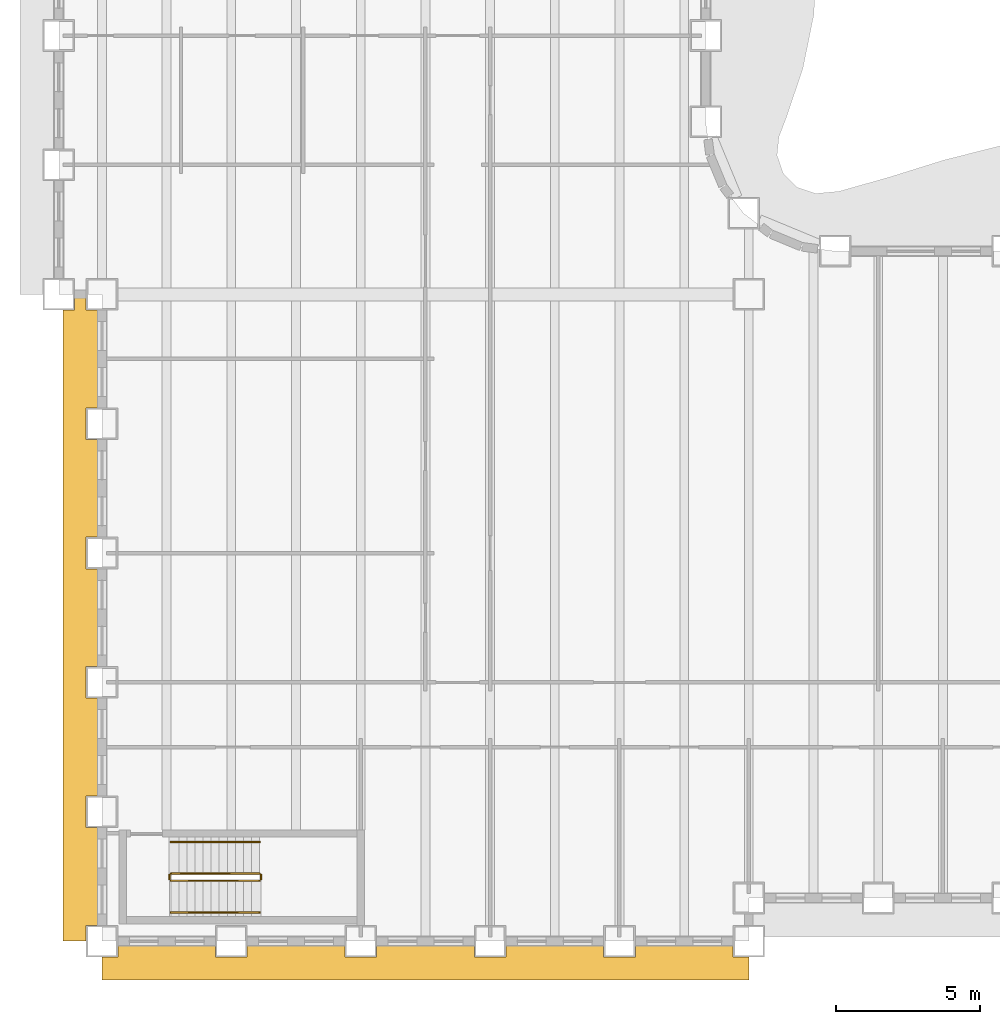
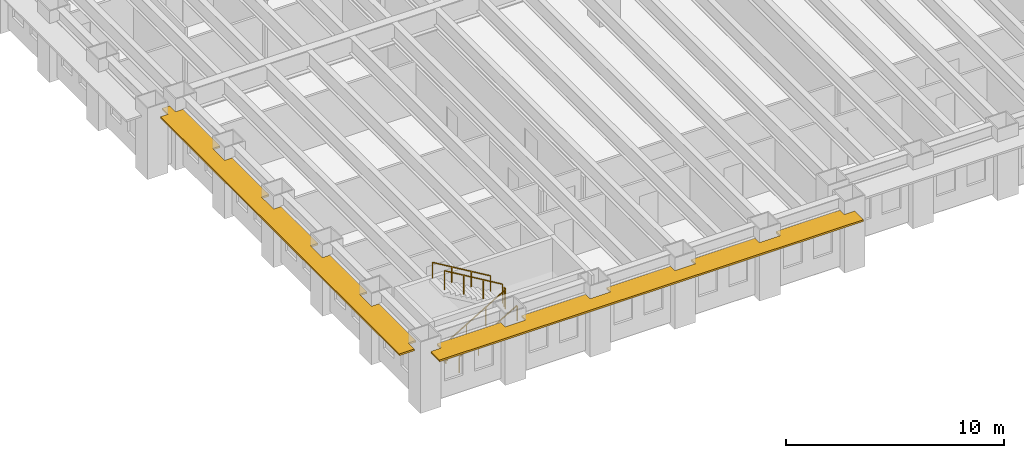
# One storey, part 12 of 17: 6 railings, 2 shading devices.
"""IFC4 building model written with IfcOpenShell, lengths in metres."""

from ifc_helpers import new_model, si_unit, direction, frame, origin, origin_2d, place, context, subcontext, project, spatial, polyline, rectangle, outline, extrude, material, layer, layer_set, type_object, element, save


model = new_model("IFC4")

# Units and contexts
model_context = context("Model", 3, precision=1e-05, world=origin(), true_north=direction((0.0, 1.0)))
body_context = subcontext(model_context, "Body", "Model", "MODEL_VIEW")
ifc_project = project(units=[si_unit("LENGTHUNIT", "METRE"), si_unit("AREAUNIT", "SQUARE_METRE"), si_unit("VOLUMEUNIT", "CUBIC_METRE"), si_unit("PLANEANGLEUNIT", "RADIAN"), si_unit("MASSUNIT", "GRAM", prefix="KILO")], contexts=[model_context])

# Site, building, storey
site_placement = place(None, origin())
site = spatial("IfcSite", under=ifc_project, at=site_placement, CompositionType="ELEMENT")
building_placement = place(site_placement, origin())
building = spatial("IfcBuilding", under=site, at=building_placement, Name="Sennacour Bend Tower", CompositionType="ELEMENT")
storey_placement = place(building_placement, frame((0.0, 0.0, 53.0)))
storey = spatial("IfcBuildingStorey", under=building, at=storey_placement, Name="L11", CompositionType="ELEMENT", Elevation=53.0)

# Railings
ifc_material_1 = material(Name="Stainless steel", Category="steel")
railing_type_1 = type_object("IfcRailingType", Name="RL-GUARD-1100", PredefinedType="GUARDRAIL", material=ifc_material_1)
railing_1_placement = place(storey_placement, frame((2.39990234375, 2.10009765625, 0.166748046875)))
element("IfcRailing", 1, at=railing_1_placement, inside=storey, type_object=railing_type_1, Name="L11 SK1 stair guard 1", PredefinedType="GUARDRAIL", context=body_context, shape_type="SweptSolid", body=[
    extrude(rectangle(XDim=0.048095703125, YDim=0.048095703125, at=origin_2d()), frame((0.0, 0.0, 1.076171875), z_axis=(0.859308565015, 0.0, 0.511457515432), x_axis=(0.0, 1.0, 0.0)), (0.0, 0.0, 1.0), 3.58447265625),
    extrude(rectangle(XDim=0.0419921875, YDim=0.0419921875, at=origin_2d()), origin(), (0.0, 0.0, 1.0), 1.052001953125),
    extrude(rectangle(XDim=0.0419921875, YDim=0.0419921875, at=origin_2d()), frame((1.026611328125, 0.0, 0.611083984375)), (0.0, 0.0, 1.0), 1.052001953125),
    extrude(rectangle(XDim=0.0419921875, YDim=0.0419921875, at=origin_2d()), frame((2.053466796875, 0.0, 1.22216796875)), (0.0, 0.0, 1.0), 1.052001953125),
    extrude(rectangle(XDim=0.0419921875, YDim=0.0419921875, at=origin_2d()), frame((3.080078125, 0.0, 1.833251953125)), (0.0, 0.0, 1.0), 1.052001953125),
])
railing_2_placement = place(storey_placement, frame((5.530029296875, 2.14990234375, 2.0)))
element("IfcRailing", 2, at=railing_2_placement, inside=storey, type_object=railing_type_1, Name="L11 SK1 stair guard 2", PredefinedType="GUARDRAIL", context=body_context, shape_type="SweptSolid", body=[
    extrude(rectangle(XDim=0.048095703125, YDim=0.048095703125, at=origin_2d()), frame((0.0, 0.0, 1.076171875), z_axis=(0.0, 1.0, 0.0), x_axis=(-1.0, 0.0, 0.0)), (0.0, 0.0, 1.0), 0.150146484375),
    extrude(rectangle(XDim=0.0419921875, YDim=0.0419921875, at=origin_2d()), origin(), (0.0, 0.0, 1.0), 1.052001953125),
    extrude(rectangle(XDim=0.0419921875, YDim=0.0419921875, at=origin_2d()), frame((0.0, 0.150146484375, 0.0)), (0.0, 0.0, 1.0), 1.052001953125),
])
railing_3_placement = place(storey_placement, frame((5.47998046875, 2.35009765625, 2.166748046875)))
element("IfcRailing", 3, at=railing_3_placement, inside=storey, type_object=railing_type_1, Name="L11 SK1 stair guard 3", PredefinedType="GUARDRAIL", context=body_context, shape_type="SweptSolid", body=[
    extrude(rectangle(XDim=0.048095703125, YDim=0.048095703125, at=origin_2d()), frame((0.0, 0.0, 1.076171875), z_axis=(-0.859308565015, 0.0, 0.511457515432), x_axis=(0.0, -1.0, 0.0)), (0.0, 0.0, 1.0), 3.58447265625),
    extrude(rectangle(XDim=0.0419921875, YDim=0.0419921875, at=origin_2d()), origin(), (0.0, 0.0, 1.0), 1.052001953125),
    extrude(rectangle(XDim=0.0419921875, YDim=0.0419921875, at=origin_2d()), frame((-1.026611328125, 0.0, 0.611083984375)), (0.0, 0.0, 1.0), 1.052001953125),
    extrude(rectangle(XDim=0.0419921875, YDim=0.0419921875, at=origin_2d()), frame((-2.053466796875, 0.0, 1.22216796875)), (0.0, 0.0, 1.0), 1.052001953125),
    extrude(rectangle(XDim=0.0419921875, YDim=0.0419921875, at=origin_2d()), frame((-3.080078125, 0.0, 1.833251953125)), (0.0, 0.0, 1.0), 1.052001953125),
])
railing_4_placement = place(storey_placement, frame((2.35009765625, 2.14990234375, 0.0)))
element("IfcRailing", 4, at=railing_4_placement, inside=storey, type_object=railing_type_1, Name="L11 SK1 stair guard 4", PredefinedType="GUARDRAIL", context=body_context, shape_type="SweptSolid", body=[
    extrude(rectangle(XDim=0.048095703125, YDim=0.048095703125, at=origin_2d()), frame((0.0, 0.0, 1.076171875), z_axis=(0.0, 1.0, 0.0), x_axis=(-1.0, 0.0, 0.0)), (0.0, 0.0, 1.0), 0.150146484375),
    extrude(rectangle(XDim=0.0419921875, YDim=0.0419921875, at=origin_2d()), origin(), (0.0, 0.0, 1.0), 1.052001953125),
    extrude(rectangle(XDim=0.0419921875, YDim=0.0419921875, at=origin_2d()), frame((0.0, 0.150146484375, 0.0)), (0.0, 0.0, 1.0), 1.052001953125),
])
railing_type_2 = type_object("IfcRailingType", Name="RL-HANDRAIL-900", PredefinedType="HANDRAIL", material=ifc_material_1)
railing_5_placement = place(storey_placement, frame((2.39990234375, 1.0, 0.166748046875)))
element("IfcRailing", 5, at=railing_5_placement, inside=storey, type_object=railing_type_2, Name="L11 SK1 stair handrail 1", PredefinedType="HANDRAIL", context=body_context, shape_type="SweptSolid", body=[
    extrude(rectangle(XDim=0.048095703125, YDim=0.048095703125, at=origin_2d()), frame((0.0, 0.0, 0.8759765625), z_axis=(0.859308565015, 0.0, 0.511457515432), x_axis=(0.0, 1.0, 0.0)), (0.0, 0.0, 1.0), 3.58447265625),
    extrude(rectangle(XDim=0.0419921875, YDim=0.0419921875, at=origin_2d()), origin(), (0.0, 0.0, 1.0), 0.851806640625),
    extrude(rectangle(XDim=0.0419921875, YDim=0.0419921875, at=origin_2d()), frame((1.026611328125, 0.0, 0.611083984375)), (0.0, 0.0, 1.0), 0.851806640625),
    extrude(rectangle(XDim=0.0419921875, YDim=0.0419921875, at=origin_2d()), frame((2.053466796875, 0.0, 1.22216796875)), (0.0, 0.0, 1.0), 0.851806640625),
    extrude(rectangle(XDim=0.0419921875, YDim=0.0419921875, at=origin_2d()), frame((3.080078125, 0.0, 1.833251953125)), (0.0, 0.0, 1.0), 0.851806640625),
])
railing_6_placement = place(storey_placement, frame((5.47998046875, 3.449951171875, 2.166748046875)))
element("IfcRailing", 6, at=railing_6_placement, inside=storey, type_object=railing_type_2, Name="L11 SK1 stair handrail 2", PredefinedType="HANDRAIL", context=body_context, shape_type="SweptSolid", body=[
    extrude(rectangle(XDim=0.048095703125, YDim=0.048095703125, at=origin_2d()), frame((0.0, 0.0, 0.8759765625), z_axis=(-0.859308565015, 0.0, 0.511457515432), x_axis=(0.0, -1.0, 0.0)), (0.0, 0.0, 1.0), 3.58447265625),
    extrude(rectangle(XDim=0.0419921875, YDim=0.0419921875, at=origin_2d()), origin(), (0.0, 0.0, 1.0), 0.851806640625),
    extrude(rectangle(XDim=0.0419921875, YDim=0.0419921875, at=origin_2d()), frame((-1.026611328125, 0.0, 0.611083984375)), (0.0, 0.0, 1.0), 0.851806640625),
    extrude(rectangle(XDim=0.0419921875, YDim=0.0419921875, at=origin_2d()), frame((-2.053466796875, 0.0, 1.22216796875)), (0.0, 0.0, 1.0), 0.851806640625),
    extrude(rectangle(XDim=0.0419921875, YDim=0.0419921875, at=origin_2d()), frame((-3.080078125, 0.0, 1.833251953125)), (0.0, 0.0, 1.0), 0.851806640625),
])

# Shading devices
ifc_material_2 = material(Name="Bronze anodised aluminium", Category="aluminium")
ifc_layer = layer(ifc_material_2, 0.10009765625, Name="Bronze anodised aluminium", Category="aluminium")
ifc_layer_set = layer_set([ifc_layer], Name="Bronze anodised aluminium")
shading_device_type = type_object("IfcShadingDeviceType", Name="SUNSHADE BAND STRAIGHT", PredefinedType="USERDEFINED", material=ifc_layer_set)
shading_device_1_placement = place(storey_placement, frame((0.0, 0.0, 3.0439453125)))
element("IfcShadingDevice", 7, at=shading_device_1_placement, inside=storey, type_object=shading_device_type, Name="Sunshade band L11 K outer face", ObjectType="SUNSHADE", PredefinedType="USERDEFINED", context=body_context, shape_type="SweptSolid", body=[
    extrude(outline(polyline([(3.949951171875, -0.14990234375), (3.949951171875, -0.550048828125), (5.050048828125, -0.550048828125), (5.050048828125, -0.14990234375), (8.449951171875, -0.14990234375), (8.449951171875, -0.550048828125), (9.550048828125, -0.550048828125), (9.550048828125, -0.14990234375), (12.949951171875, -0.14990234375), (12.949951171875, -0.550048828125), (14.050048828125, -0.550048828125), (14.050048828125, -0.14990234375), (17.449951171875, -0.14990234375), (17.449951171875, -0.550048828125), (18.550048828125, -0.550048828125), (18.550048828125, -0.14990234375), (21.949951171875, -0.14990234375), (21.949951171875, -0.550048828125), (22.5, -0.550048828125), (22.5, -1.35009765625), (0.0, -1.35009765625), (0.0, -0.550048828125), (0.550048828125, -0.550048828125), (0.550048828125, -0.14990234375), (3.949951171875, -0.14990234375)])), origin(), (0.0, 0.0, 1.0), 0.10009765625),
])
shading_device_2_placement = place(storey_placement, frame((0.0, 0.0, 3.0439453125)))
element("IfcShadingDevice", 8, at=shading_device_2_placement, inside=storey, type_object=shading_device_type, Name="Sunshade band L11 K outer face", ObjectType="SUNSHADE", PredefinedType="USERDEFINED", context=body_context, shape_type="SweptSolid", body=[
    extrude(outline(polyline([(-0.14990234375, 18.550048828125), (-0.550048828125, 18.550048828125), (-0.550048828125, 17.449951171875), (-0.14990234375, 17.449951171875), (-0.14990234375, 14.050048828125), (-0.550048828125, 14.050048828125), (-0.550048828125, 12.949951171875), (-0.14990234375, 12.949951171875), (-0.14990234375, 9.550048828125), (-0.550048828125, 9.550048828125), (-0.550048828125, 8.449951171875), (-0.14990234375, 8.449951171875), (-0.14990234375, 5.050048828125), (-0.550048828125, 5.050048828125), (-0.550048828125, 3.949951171875), (-0.14990234375, 3.949951171875), (-0.14990234375, 0.550048828125), (-0.550048828125, 0.550048828125), (-0.550048828125, 0.0), (-1.35009765625, 0.0), (-1.35009765625, 21.949951171875), (-0.949951171875, 21.949951171875), (-0.949951171875, 22.5), (-0.550048828125, 22.5), (-0.550048828125, 21.949951171875), (-0.14990234375, 21.949951171875), (-0.14990234375, 18.550048828125)])), origin(), (0.0, 0.0, 1.0), 0.10009765625),
])

save(model, "model.ifc")
